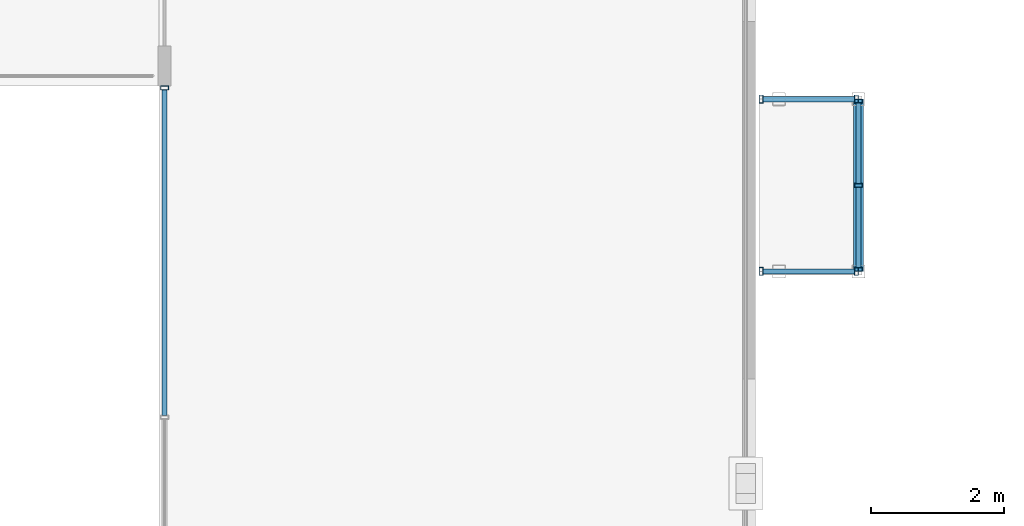
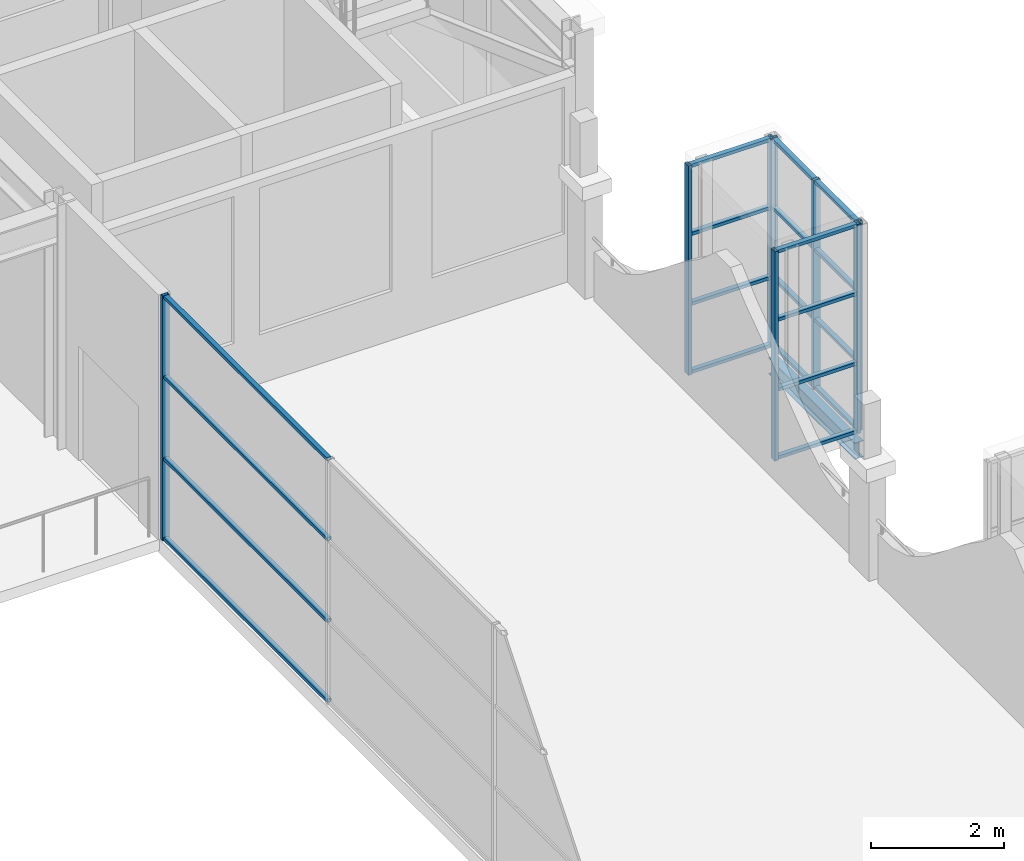
# One storey, part 27 of 111: 28 members, 1 beam, 4 elements without a shape of their own.
"""IFC4 building model written with IfcOpenShell, lengths in metres."""

from ifc_helpers import new_model, si_unit, direction, frame, origin, origin_2d, place, context, subcontext, project, spatial, hollow_rectangle, i_section, extrude, material, material_profile, profile_set, type_object, element, aggregate, save


model = new_model("IFC4")

# Units and contexts
model_context = context("Model", 3, precision=1e-05, world=origin(), true_north=direction((0.0, 1.0)))
body_context = subcontext(model_context, "Body", "Model", "MODEL_VIEW")
ifc_project = project(units=[si_unit("LENGTHUNIT", "METRE"), si_unit("AREAUNIT", "SQUARE_METRE"), si_unit("VOLUMEUNIT", "CUBIC_METRE"), si_unit("PLANEANGLEUNIT", "RADIAN"), si_unit("MASSUNIT", "GRAM", prefix="KILO")], contexts=[model_context])

# Site, building, storey
site_placement = place(None, origin())
site = spatial("IfcSite", under=ifc_project, at=site_placement, CompositionType="ELEMENT")
building_placement = place(site_placement, origin())
building = spatial("IfcBuilding", under=site, at=building_placement, Name="Kallimachos Central Library", CompositionType="ELEMENT")
storey_placement = place(building_placement, frame((0.0, 0.0, 14.39990234375)))
storey = spatial("IfcBuildingStorey", under=building, at=storey_placement, Name="L03", CompositionType="ELEMENT", Elevation=14.39990234375)

# Curtain wall, members
ifc_material_1 = material(Name="Aluminium and laminated glass", Category="aluminium")
curtain_wall_type_1 = type_object("IfcCurtainWallType", Name="Atrium glazed screen", PredefinedType="NOTDEFINED", material=ifc_material_1)
curtain_wall_1_placement = place(storey_placement, origin())
curtain_wall_1 = element("IfcCurtainWall", 1, at=curtain_wall_1_placement, inside=storey, type_object=curtain_wall_type_1, Name="L03 atrium screen E", PredefinedType="NOTDEFINED")
ifc_material_2 = material(Name="Anodised aluminium", Category="aluminium")
ifc_material_profile_1 = material_profile(ifc_material_2, hollow_rectangle(XDim=0.06005859375, YDim=0.1201171875, WallThickness=0.00390625, at=origin_2d()), Name="ALU MULLION 60x120")
ifc_profile_set_1 = profile_set([ifc_material_profile_1], Name="Anodised aluminium")
member_type_1 = type_object("IfcMemberType", Name="Atrium screen mullion", PredefinedType="MULLION", material=ifc_profile_set_1)
member_1_placement = place(storey_placement, frame((101.580078125, 71.969970703125, 0.0), z_axis=(0.0, 0.0, 1.0), x_axis=(0.0, 1.0, 0.0)))
member_1 = element("IfcMember", 2, at=member_1_placement, type_object=member_type_1, Name="CW mullion 4", PredefinedType="MULLION", context=body_context, shape_type="SweptSolid", body=[
    extrude(hollow_rectangle(XDim=0.06005859375, YDim=0.1201171875, WallThickness=0.00390625, at=origin_2d()), origin(), (0.0, 0.0, 1.0), 4.5),
])
ifc_material_3 = material(Name="Anodised aluminium", Category="aluminium")
ifc_material_profile_2 = material_profile(ifc_material_3, hollow_rectangle(XDim=0.06005859375, YDim=0.080078125, WallThickness=0.00390625, at=origin_2d()), Name="ALU TRANSOM 60x80")
ifc_profile_set_2 = profile_set([ifc_material_profile_2], Name="Anodised aluminium")
member_type_2 = type_object("IfcMemberType", Name="Atrium screen transom", PredefinedType="USERDEFINED", material=ifc_profile_set_2)
member_2_placement = place(storey_placement, frame((101.580078125, 67.030029296875, 0.030029296875), z_axis=(0.0, 1.0, 0.0), x_axis=(0.0, 0.0, 1.0)))
member_2 = element("IfcMember", 3, at=member_2_placement, type_object=member_type_2, Name="CW transom 3.1", ObjectType="TRANSOM", PredefinedType="USERDEFINED", context=body_context, shape_type="SweptSolid", body=[
    extrude(hollow_rectangle(XDim=0.06005859375, YDim=0.080078125, WallThickness=0.00390625, at=origin_2d()), origin(), (0.0, 0.0, 1.0), 4.909912109375),
])
member_3_placement = place(storey_placement, frame((101.580078125, 67.030029296875, 1.5), z_axis=(0.0, 1.0, 0.0), x_axis=(0.0, 0.0, 1.0)))
member_3 = element("IfcMember", 4, at=member_3_placement, type_object=member_type_2, Name="CW transom 3.2", ObjectType="TRANSOM", PredefinedType="USERDEFINED", context=body_context, shape_type="SweptSolid", body=[
    extrude(hollow_rectangle(XDim=0.06005859375, YDim=0.080078125, WallThickness=0.00390625, at=origin_2d()), origin(), (0.0, 0.0, 1.0), 4.909912109375),
])
member_4_placement = place(storey_placement, frame((101.580078125, 67.030029296875, 3.0), z_axis=(0.0, 1.0, 0.0), x_axis=(0.0, 0.0, 1.0)))
member_4 = element("IfcMember", 5, at=member_4_placement, type_object=member_type_2, Name="CW transom 3.3", ObjectType="TRANSOM", PredefinedType="USERDEFINED", context=body_context, shape_type="SweptSolid", body=[
    extrude(hollow_rectangle(XDim=0.06005859375, YDim=0.080078125, WallThickness=0.00390625, at=origin_2d()), origin(), (0.0, 0.0, 1.0), 4.909912109375),
])
member_5_placement = place(storey_placement, frame((101.580078125, 67.030029296875, 4.47021484375), z_axis=(0.0, 1.0, 0.0), x_axis=(0.0, 0.0, 1.0)))
member_5 = element("IfcMember", 6, at=member_5_placement, type_object=member_type_2, Name="CW transom 3.4", ObjectType="TRANSOM", PredefinedType="USERDEFINED", context=body_context, shape_type="SweptSolid", body=[
    extrude(hollow_rectangle(XDim=0.06005859375, YDim=0.080078125, WallThickness=0.00390625, at=origin_2d()), origin(), (0.0, 0.0, 1.0), 4.909912109375),
])
aggregate(curtain_wall_1, [member_1, member_2, member_3, member_4, member_5])

# Beam
ifc_material_4 = material(Name="Steel S355J2", Category="steel")
ifc_material_profile_3 = material_profile(ifc_material_4, i_section(OverallWidth=0.14990234375, OverallDepth=0.300048828125, WebThickness=0.007080078125, FlangeThickness=0.0107421875, FilletRadius=0.014892578125, at=origin_2d()), Name="IPE 300")
ifc_profile_set_3 = profile_set([ifc_material_profile_3], Name="Steel S355J2")
beam_type = type_object("IfcBeamType", Name="IPE 300 beam", PredefinedType="BEAM", material=ifc_profile_set_3)
beam_placement = place(storey_placement, frame((112.050048828125, 69.199951171875, -0.349853515625), z_axis=(0.0, 1.0, 0.0), x_axis=(-1.0, 0.0, 0.0)))
element("IfcBeam", 7, at=beam_placement, inside=storey, type_object=beam_type, Name="Tribune bay E2 edge beam L03", PredefinedType="BEAM", context=body_context, shape_type="SweptSolid", body=[
    extrude(i_section(OverallWidth=0.14990234375, OverallDepth=0.300048828125, WebThickness=0.007080078125, FlangeThickness=0.0107421875, FilletRadius=0.014892578125, at=origin_2d()), origin(), (0.0, 0.0, 1.0), 2.60009765625),
])

# Curtain wall, members
ifc_material_5 = material(Name="Aluminium and laminated glass", Category="aluminium")
curtain_wall_type_2 = type_object("IfcCurtainWallType", Name="Tribune bay glazed screen", PredefinedType="NOTDEFINED", material=ifc_material_5)
curtain_wall_2_placement = place(storey_placement, origin())
curtain_wall_2 = element("IfcCurtainWall", 8, at=curtain_wall_2_placement, inside=storey, type_object=curtain_wall_type_2, Name="Tribune bay E2 L03 front", PredefinedType="NOTDEFINED")
ifc_material_6 = material(Name="Anodised aluminium", Category="aluminium")
ifc_material_profile_4 = material_profile(ifc_material_6, hollow_rectangle(XDim=0.06005859375, YDim=0.1201171875, WallThickness=0.00390625, at=origin_2d()), Name="ALU MULLION 60x120")
ifc_profile_set_4 = profile_set([ifc_material_profile_4], Name="Anodised aluminium")
member_type_3 = type_object("IfcMemberType", Name="Tribune bay mullion", PredefinedType="MULLION", material=ifc_profile_set_4)
member_6_placement = place(storey_placement, frame((112.050048828125, 69.22998046875, 0.0), z_axis=(0.0, 0.0, 1.0), x_axis=(0.0, 1.0, 0.0)))
member_6 = element("IfcMember", 9, at=member_6_placement, type_object=member_type_3, Name="CW mullion 1", PredefinedType="MULLION", context=body_context, shape_type="SweptSolid", body=[
    extrude(hollow_rectangle(XDim=0.06005859375, YDim=0.1201171875, WallThickness=0.00390625, at=origin_2d()), origin(), (0.0, 0.0, 1.0), 3.85009765625),
])
member_7_placement = place(storey_placement, frame((112.050048828125, 70.5, 0.0), z_axis=(0.0, 0.0, 1.0), x_axis=(0.0, 1.0, 0.0)))
member_7 = element("IfcMember", 10, at=member_7_placement, type_object=member_type_3, Name="CW mullion 2", PredefinedType="MULLION", context=body_context, shape_type="SweptSolid", body=[
    extrude(hollow_rectangle(XDim=0.06005859375, YDim=0.1201171875, WallThickness=0.00390625, at=origin_2d()), origin(), (0.0, 0.0, 1.0), 3.85009765625),
])
member_8_placement = place(storey_placement, frame((112.050048828125, 71.77001953125, 0.0), z_axis=(0.0, 0.0, 1.0), x_axis=(0.0, 1.0, 0.0)))
member_8 = element("IfcMember", 11, at=member_8_placement, type_object=member_type_3, Name="CW mullion 3", PredefinedType="MULLION", context=body_context, shape_type="SweptSolid", body=[
    extrude(hollow_rectangle(XDim=0.06005859375, YDim=0.1201171875, WallThickness=0.00390625, at=origin_2d()), origin(), (0.0, 0.0, 1.0), 3.85009765625),
])

curtain_wall_3_placement = place(storey_placement, origin())
curtain_wall_3 = element("IfcCurtainWall", 12, at=curtain_wall_3_placement, inside=storey, type_object=curtain_wall_type_2, Name="Tribune bay E2 L03 return 1", PredefinedType="NOTDEFINED")
member_9_placement = place(storey_placement, frame((110.580078125, 69.199951171875, 0.0), z_axis=(0.0, 0.0, 1.0), x_axis=(1.0, 0.0, 0.0)))
member_9 = element("IfcMember", 13, at=member_9_placement, type_object=member_type_3, Name="CW mullion 1", PredefinedType="MULLION", context=body_context, shape_type="SweptSolid", body=[
    extrude(hollow_rectangle(XDim=0.06005859375, YDim=0.1201171875, WallThickness=0.00390625, at=origin_2d()), origin(), (0.0, 0.0, 1.0), 3.85009765625),
])
member_10_placement = place(storey_placement, frame((112.02001953125, 69.199951171875, 0.0), z_axis=(0.0, 0.0, 1.0), x_axis=(1.0, 0.0, 0.0)))
member_10 = element("IfcMember", 14, at=member_10_placement, type_object=member_type_3, Name="CW mullion 2", PredefinedType="MULLION", context=body_context, shape_type="SweptSolid", body=[
    extrude(hollow_rectangle(XDim=0.06005859375, YDim=0.1201171875, WallThickness=0.00390625, at=origin_2d()), origin(), (0.0, 0.0, 1.0), 3.85009765625),
])

curtain_wall_4_placement = place(storey_placement, origin())
curtain_wall_4 = element("IfcCurtainWall", 15, at=curtain_wall_4_placement, inside=storey, type_object=curtain_wall_type_2, Name="Tribune bay E2 L03 return 2", PredefinedType="NOTDEFINED")
member_11_placement = place(storey_placement, frame((110.580078125, 71.800048828125, 0.0), z_axis=(0.0, 0.0, 1.0), x_axis=(1.0, 0.0, 0.0)))
member_11 = element("IfcMember", 16, at=member_11_placement, type_object=member_type_3, Name="CW mullion 1", PredefinedType="MULLION", context=body_context, shape_type="SweptSolid", body=[
    extrude(hollow_rectangle(XDim=0.06005859375, YDim=0.1201171875, WallThickness=0.00390625, at=origin_2d()), origin(), (0.0, 0.0, 1.0), 3.85009765625),
])
member_12_placement = place(storey_placement, frame((112.02001953125, 71.800048828125, 0.0), z_axis=(0.0, 0.0, 1.0), x_axis=(1.0, 0.0, 0.0)))
member_12 = element("IfcMember", 17, at=member_12_placement, type_object=member_type_3, Name="CW mullion 2", PredefinedType="MULLION", context=body_context, shape_type="SweptSolid", body=[
    extrude(hollow_rectangle(XDim=0.06005859375, YDim=0.1201171875, WallThickness=0.00390625, at=origin_2d()), origin(), (0.0, 0.0, 1.0), 3.85009765625),
])

# Member
ifc_material_7 = material(Name="Anodised aluminium", Category="aluminium")
ifc_material_profile_5 = material_profile(ifc_material_7, hollow_rectangle(XDim=0.06005859375, YDim=0.080078125, WallThickness=0.00390625, at=origin_2d()), Name="ALU TRANSOM 60x80")
ifc_profile_set_5 = profile_set([ifc_material_profile_5], Name="Anodised aluminium")
member_type_4 = type_object("IfcMemberType", Name="Tribune bay transom", PredefinedType="USERDEFINED", material=ifc_profile_set_5)
member_13_placement = place(storey_placement, frame((112.050048828125, 69.260009765625, 0.030029296875), z_axis=(0.0, 1.0, 0.0), x_axis=(0.0, 0.0, 1.0)))
member_13 = element("IfcMember", 18, at=member_13_placement, type_object=member_type_4, Name="CW transom 1.1", ObjectType="TRANSOM", PredefinedType="USERDEFINED", context=body_context, shape_type="SweptSolid", body=[
    extrude(hollow_rectangle(XDim=0.06005859375, YDim=0.080078125, WallThickness=0.00390625, at=origin_2d()), origin(), (0.0, 0.0, 1.0), 1.2099609375),
])

member_14_placement = place(storey_placement, frame((112.050048828125, 69.260009765625, 1.283447265625), z_axis=(0.0, 1.0, 0.0), x_axis=(0.0, 0.0, 1.0)))
member_14 = element("IfcMember", 19, at=member_14_placement, type_object=member_type_4, Name="CW transom 1.2", ObjectType="TRANSOM", PredefinedType="USERDEFINED", context=body_context, shape_type="SweptSolid", body=[
    extrude(hollow_rectangle(XDim=0.06005859375, YDim=0.080078125, WallThickness=0.00390625, at=origin_2d()), origin(), (0.0, 0.0, 1.0), 1.2099609375),
])

member_15_placement = place(storey_placement, frame((112.050048828125, 69.260009765625, 2.566650390625), z_axis=(0.0, 1.0, 0.0), x_axis=(0.0, 0.0, 1.0)))
member_15 = element("IfcMember", 20, at=member_15_placement, type_object=member_type_4, Name="CW transom 1.3", ObjectType="TRANSOM", PredefinedType="USERDEFINED", context=body_context, shape_type="SweptSolid", body=[
    extrude(hollow_rectangle(XDim=0.06005859375, YDim=0.080078125, WallThickness=0.00390625, at=origin_2d()), origin(), (0.0, 0.0, 1.0), 1.2099609375),
])

member_16_placement = place(storey_placement, frame((112.050048828125, 69.260009765625, 3.820068359375), z_axis=(0.0, 1.0, 0.0), x_axis=(0.0, 0.0, 1.0)))
member_16 = element("IfcMember", 21, at=member_16_placement, type_object=member_type_4, Name="CW transom 1.4", ObjectType="TRANSOM", PredefinedType="USERDEFINED", context=body_context, shape_type="SweptSolid", body=[
    extrude(hollow_rectangle(XDim=0.06005859375, YDim=0.080078125, WallThickness=0.00390625, at=origin_2d()), origin(), (0.0, 0.0, 1.0), 1.2099609375),
])

member_17_placement = place(storey_placement, frame((112.050048828125, 70.530029296875, 0.030029296875), z_axis=(0.0, 1.0, 0.0), x_axis=(0.0, 0.0, 1.0)))
member_17 = element("IfcMember", 22, at=member_17_placement, type_object=member_type_4, Name="CW transom 2.1", ObjectType="TRANSOM", PredefinedType="USERDEFINED", context=body_context, shape_type="SweptSolid", body=[
    extrude(hollow_rectangle(XDim=0.06005859375, YDim=0.080078125, WallThickness=0.00390625, at=origin_2d()), origin(), (0.0, 0.0, 1.0), 1.2099609375),
])

member_18_placement = place(storey_placement, frame((112.050048828125, 70.530029296875, 1.283447265625), z_axis=(0.0, 1.0, 0.0), x_axis=(0.0, 0.0, 1.0)))
member_18 = element("IfcMember", 23, at=member_18_placement, type_object=member_type_4, Name="CW transom 2.2", ObjectType="TRANSOM", PredefinedType="USERDEFINED", context=body_context, shape_type="SweptSolid", body=[
    extrude(hollow_rectangle(XDim=0.06005859375, YDim=0.080078125, WallThickness=0.00390625, at=origin_2d()), origin(), (0.0, 0.0, 1.0), 1.2099609375),
])

member_19_placement = place(storey_placement, frame((112.050048828125, 70.530029296875, 2.566650390625), z_axis=(0.0, 1.0, 0.0), x_axis=(0.0, 0.0, 1.0)))
member_19 = element("IfcMember", 24, at=member_19_placement, type_object=member_type_4, Name="CW transom 2.3", ObjectType="TRANSOM", PredefinedType="USERDEFINED", context=body_context, shape_type="SweptSolid", body=[
    extrude(hollow_rectangle(XDim=0.06005859375, YDim=0.080078125, WallThickness=0.00390625, at=origin_2d()), origin(), (0.0, 0.0, 1.0), 1.2099609375),
])

member_20_placement = place(storey_placement, frame((112.050048828125, 70.530029296875, 3.820068359375), z_axis=(0.0, 1.0, 0.0), x_axis=(0.0, 0.0, 1.0)))
member_20 = element("IfcMember", 25, at=member_20_placement, type_object=member_type_4, Name="CW transom 2.4", ObjectType="TRANSOM", PredefinedType="USERDEFINED", context=body_context, shape_type="SweptSolid", body=[
    extrude(hollow_rectangle(XDim=0.06005859375, YDim=0.080078125, WallThickness=0.00390625, at=origin_2d()), origin(), (0.0, 0.0, 1.0), 1.2099609375),
])

aggregate(curtain_wall_2, [member_6, member_7, member_8, member_13, member_14, member_15, member_16, member_17, member_18, member_19, member_20])

member_21_placement = place(storey_placement, frame((110.610107421875, 69.199951171875, 0.030029296875), z_axis=(1.0, 0.0, 0.0), x_axis=(0.0, 0.0, 1.0)))
member_21 = element("IfcMember", 26, at=member_21_placement, type_object=member_type_4, Name="CW transom 1.1", ObjectType="TRANSOM", PredefinedType="USERDEFINED", context=body_context, shape_type="SweptSolid", body=[
    extrude(hollow_rectangle(XDim=0.06005859375, YDim=0.080078125, WallThickness=0.00390625, at=origin_2d()), origin(), (0.0, 0.0, 1.0), 1.3798828125),
])

member_22_placement = place(storey_placement, frame((110.610107421875, 69.199951171875, 1.283447265625), z_axis=(1.0, 0.0, 0.0), x_axis=(0.0, 0.0, 1.0)))
member_22 = element("IfcMember", 27, at=member_22_placement, type_object=member_type_4, Name="CW transom 1.2", ObjectType="TRANSOM", PredefinedType="USERDEFINED", context=body_context, shape_type="SweptSolid", body=[
    extrude(hollow_rectangle(XDim=0.06005859375, YDim=0.080078125, WallThickness=0.00390625, at=origin_2d()), origin(), (0.0, 0.0, 1.0), 1.3798828125),
])

member_23_placement = place(storey_placement, frame((110.610107421875, 69.199951171875, 2.566650390625), z_axis=(1.0, 0.0, 0.0), x_axis=(0.0, 0.0, 1.0)))
member_23 = element("IfcMember", 28, at=member_23_placement, type_object=member_type_4, Name="CW transom 1.3", ObjectType="TRANSOM", PredefinedType="USERDEFINED", context=body_context, shape_type="SweptSolid", body=[
    extrude(hollow_rectangle(XDim=0.06005859375, YDim=0.080078125, WallThickness=0.00390625, at=origin_2d()), origin(), (0.0, 0.0, 1.0), 1.3798828125),
])

member_24_placement = place(storey_placement, frame((110.610107421875, 69.199951171875, 3.820068359375), z_axis=(1.0, 0.0, 0.0), x_axis=(0.0, 0.0, 1.0)))
member_24 = element("IfcMember", 29, at=member_24_placement, type_object=member_type_4, Name="CW transom 1.4", ObjectType="TRANSOM", PredefinedType="USERDEFINED", context=body_context, shape_type="SweptSolid", body=[
    extrude(hollow_rectangle(XDim=0.06005859375, YDim=0.080078125, WallThickness=0.00390625, at=origin_2d()), origin(), (0.0, 0.0, 1.0), 1.3798828125),
])

aggregate(curtain_wall_3, [member_9, member_10, member_21, member_22, member_23, member_24])

member_25_placement = place(storey_placement, frame((110.610107421875, 71.800048828125, 0.030029296875), z_axis=(1.0, 0.0, 0.0), x_axis=(0.0, 0.0, 1.0)))
member_25 = element("IfcMember", 30, at=member_25_placement, type_object=member_type_4, Name="CW transom 1.1", ObjectType="TRANSOM", PredefinedType="USERDEFINED", context=body_context, shape_type="SweptSolid", body=[
    extrude(hollow_rectangle(XDim=0.06005859375, YDim=0.080078125, WallThickness=0.00390625, at=origin_2d()), origin(), (0.0, 0.0, 1.0), 1.3798828125),
])

member_26_placement = place(storey_placement, frame((110.610107421875, 71.800048828125, 1.283447265625), z_axis=(1.0, 0.0, 0.0), x_axis=(0.0, 0.0, 1.0)))
member_26 = element("IfcMember", 31, at=member_26_placement, type_object=member_type_4, Name="CW transom 1.2", ObjectType="TRANSOM", PredefinedType="USERDEFINED", context=body_context, shape_type="SweptSolid", body=[
    extrude(hollow_rectangle(XDim=0.06005859375, YDim=0.080078125, WallThickness=0.00390625, at=origin_2d()), origin(), (0.0, 0.0, 1.0), 1.3798828125),
])

member_27_placement = place(storey_placement, frame((110.610107421875, 71.800048828125, 2.566650390625), z_axis=(1.0, 0.0, 0.0), x_axis=(0.0, 0.0, 1.0)))
member_27 = element("IfcMember", 32, at=member_27_placement, type_object=member_type_4, Name="CW transom 1.3", ObjectType="TRANSOM", PredefinedType="USERDEFINED", context=body_context, shape_type="SweptSolid", body=[
    extrude(hollow_rectangle(XDim=0.06005859375, YDim=0.080078125, WallThickness=0.00390625, at=origin_2d()), origin(), (0.0, 0.0, 1.0), 1.3798828125),
])

member_28_placement = place(storey_placement, frame((110.610107421875, 71.800048828125, 3.820068359375), z_axis=(1.0, 0.0, 0.0), x_axis=(0.0, 0.0, 1.0)))
member_28 = element("IfcMember", 33, at=member_28_placement, type_object=member_type_4, Name="CW transom 1.4", ObjectType="TRANSOM", PredefinedType="USERDEFINED", context=body_context, shape_type="SweptSolid", body=[
    extrude(hollow_rectangle(XDim=0.06005859375, YDim=0.080078125, WallThickness=0.00390625, at=origin_2d()), origin(), (0.0, 0.0, 1.0), 1.3798828125),
])

aggregate(curtain_wall_4, [member_11, member_12, member_25, member_26, member_27, member_28])

save(model, "model.ifc")
